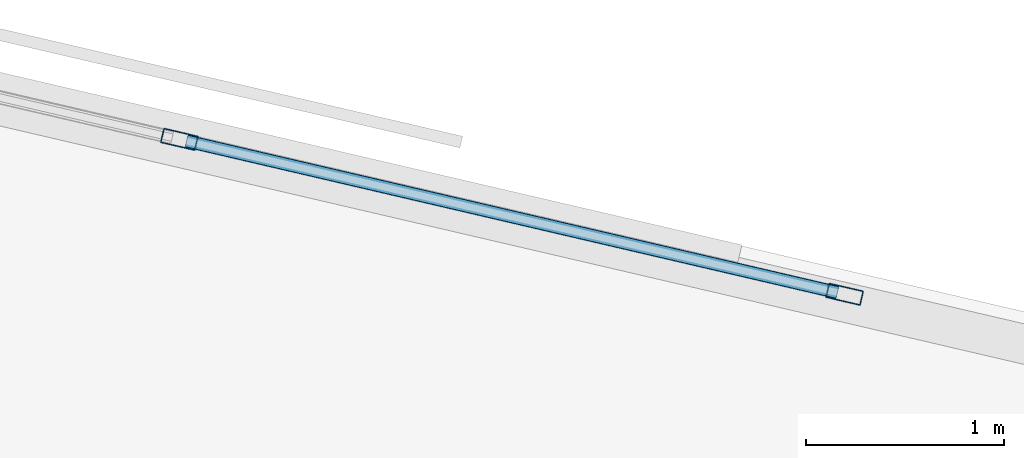
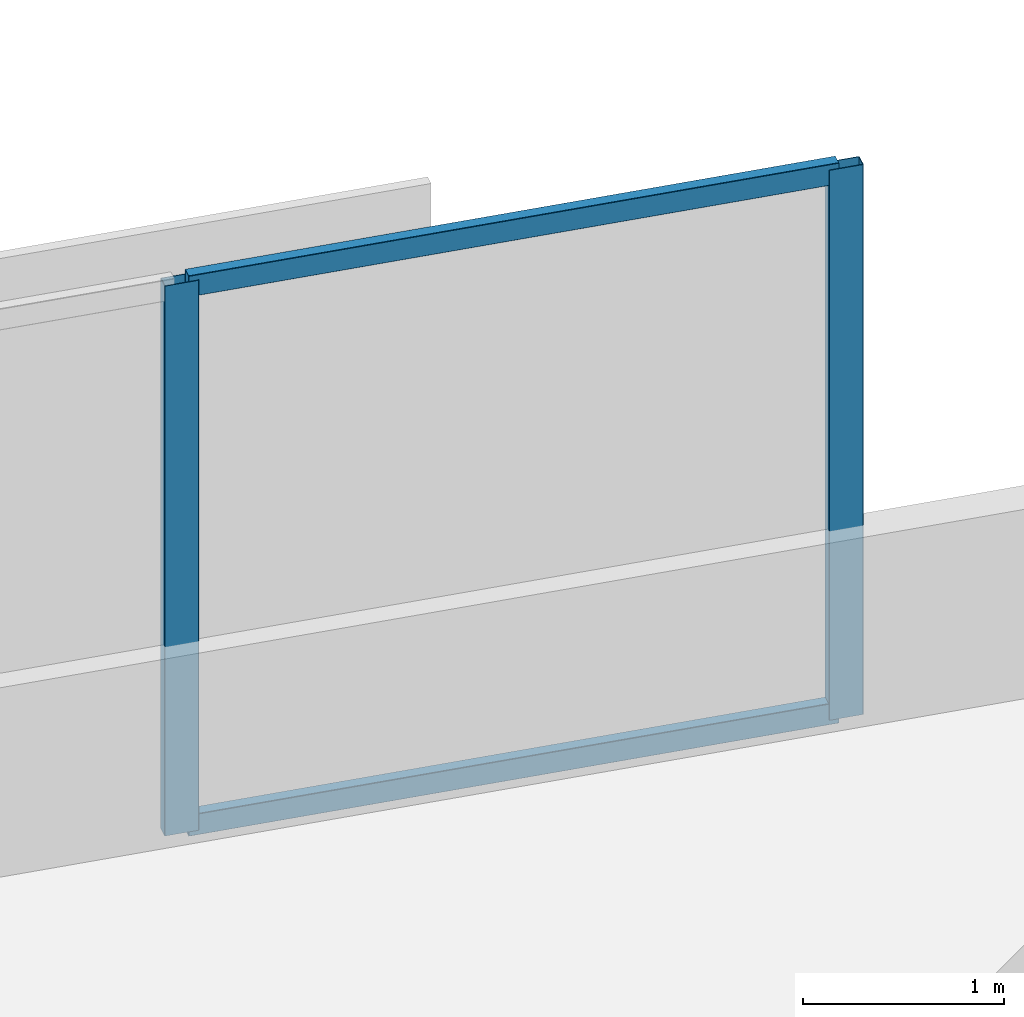
# One storey, part 2 of 13: 4 members, 1 element without a shape of its own.
"""IFC4 building model written with IfcOpenShell, lengths in metres."""

from ifc_helpers import new_model, si_unit, direction, frame, origin, origin_2d, place, context, subcontext, project, spatial, hollow_rectangle, extrude, material, material_profile, profile_set, type_object, element, aggregate, save


model = new_model("IFC4")

# Units and contexts
model_context = context("Model", 3, precision=1e-05, world=origin(), true_north=direction((0.0, 1.0)))
body_context = subcontext(model_context, "Body", "Model", "MODEL_VIEW")
ifc_project = project(units=[si_unit("LENGTHUNIT", "METRE"), si_unit("AREAUNIT", "SQUARE_METRE"), si_unit("VOLUMEUNIT", "CUBIC_METRE"), si_unit("PLANEANGLEUNIT", "RADIAN"), si_unit("MASSUNIT", "GRAM", prefix="KILO")], contexts=[model_context])

# Site, building, storey
site_placement = place(None, origin())
site = spatial("IfcSite", under=ifc_project, at=site_placement, CompositionType="ELEMENT")
building_placement = place(site_placement, origin())
building = spatial("IfcBuilding", under=site, at=building_placement, Name="Narakoshi Arena Tower", CompositionType="ELEMENT")
storey_placement = place(building_placement, frame((0.0, 0.0, 164.699951171875)))
storey = spatial("IfcBuildingStorey", under=building, at=storey_placement, Name="L44", CompositionType="ELEMENT", Elevation=164.699951171875)

# Curtain wall, members
ifc_material = material(Name="Anodised bronze aluminium 6063-T6", Category="aluminium")
curtain_wall_type = type_object("IfcCurtainWallType", Name="CW-HYP-MID", PredefinedType="NOTDEFINED", material=ifc_material)
curtain_wall_placement = place(storey_placement, origin())
curtain_wall = element("IfcCurtainWall", 1, at=curtain_wall_placement, inside=storey, type_object=curtain_wall_type, Name="L44 Folded Hypotenuse Curtain Wall 2-1", PredefinedType="NOTDEFINED")
ifc_material_profile_1 = material_profile(ifc_material, hollow_rectangle(XDim=0.074951171875, YDim=0.179931640625, WallThickness=0.00390625, OuterFilletRadius=0.0048828125, at=origin_2d()), Name="MUL180x75x4")
ifc_profile_set_1 = profile_set([ifc_material_profile_1], Name="Anodised bronze aluminium 6063-T6")
member_type_1 = type_object("IfcMemberType", Name="MEM-MUL-180", PredefinedType="MULLION", material=ifc_profile_set_1)
member_1_placement = place(storey_placement, frame((85.6767578125, 62.869384765625, 0.0), z_axis=(0.0, 0.0, 1.0), x_axis=(-0.226721182724, -0.973959704148, 0.0)))
member_1 = element("IfcMember", 2, at=member_1_placement, type_object=member_type_1, Name="CW-02 mullion 1", PredefinedType="MULLION", context=body_context, shape_type="SweptSolid", body=[
    extrude(hollow_rectangle(XDim=0.074951171875, YDim=0.179931640625, WallThickness=0.00390625, OuterFilletRadius=0.0048828125, at=origin_2d()), origin(), (0.0, 0.0, 1.0), 3.340087890625),
])
member_2_placement = place(storey_placement, frame((82.312255859375, 63.652587890625, 0.0), z_axis=(0.0, 0.0, 1.0), x_axis=(-0.226721182724, -0.973959704148, 0.0)))
member_2 = element("IfcMember", 3, at=member_2_placement, type_object=member_type_1, Name="CW-02 mullion 2", PredefinedType="MULLION", context=body_context, shape_type="SweptSolid", body=[
    extrude(hollow_rectangle(XDim=0.074951171875, YDim=0.179931640625, WallThickness=0.00390625, OuterFilletRadius=0.0048828125, at=origin_2d()), origin(), (0.0, 0.0, 1.0), 3.340087890625),
])
ifc_material_profile_2 = material_profile(ifc_material, hollow_rectangle(XDim=0.06494140625, YDim=0.1298828125, WallThickness=0.00390625, OuterFilletRadius=0.0048828125, at=origin_2d()), Name="TRN130x65x4")
ifc_profile_set_2 = profile_set([ifc_material_profile_2], Name="Anodised bronze aluminium 6063-T6")
member_type_2 = type_object("IfcMemberType", Name="MEM-TRN-130", PredefinedType="USERDEFINED", material=ifc_profile_set_2)
member_3_placement = place(storey_placement, frame((85.64013671875, 62.8779296875, 0.032470703125), z_axis=(-0.973946086847, 0.226779672622, 0.0), x_axis=(-0.226779672622, -0.973946086847, 0.0)))
member_3 = element("IfcMember", 4, at=member_3_placement, type_object=member_type_2, Name="CW-02 transom 1.1", ObjectType="TRANSOM", PredefinedType="USERDEFINED", context=body_context, shape_type="SweptSolid", body=[
    extrude(hollow_rectangle(XDim=0.06494140625, YDim=0.1298828125, WallThickness=0.00390625, OuterFilletRadius=0.0048828125, at=origin_2d()), origin(), (0.0, 0.0, 1.0), 3.37939453125),
])
member_4_placement = place(storey_placement, frame((85.64013671875, 62.8779296875, 3.3076171875), z_axis=(-0.973946086847, 0.226779672622, 0.0), x_axis=(-0.226779672622, -0.973946086847, 0.0)))
member_4 = element("IfcMember", 5, at=member_4_placement, type_object=member_type_2, Name="CW-02 transom 1.2", ObjectType="TRANSOM", PredefinedType="USERDEFINED", context=body_context, shape_type="SweptSolid", body=[
    extrude(hollow_rectangle(XDim=0.06494140625, YDim=0.1298828125, WallThickness=0.00390625, OuterFilletRadius=0.0048828125, at=origin_2d()), origin(), (0.0, 0.0, 1.0), 3.37939453125),
])
aggregate(curtain_wall, [member_1, member_2, member_3, member_4])

save(model, "model.ifc")
